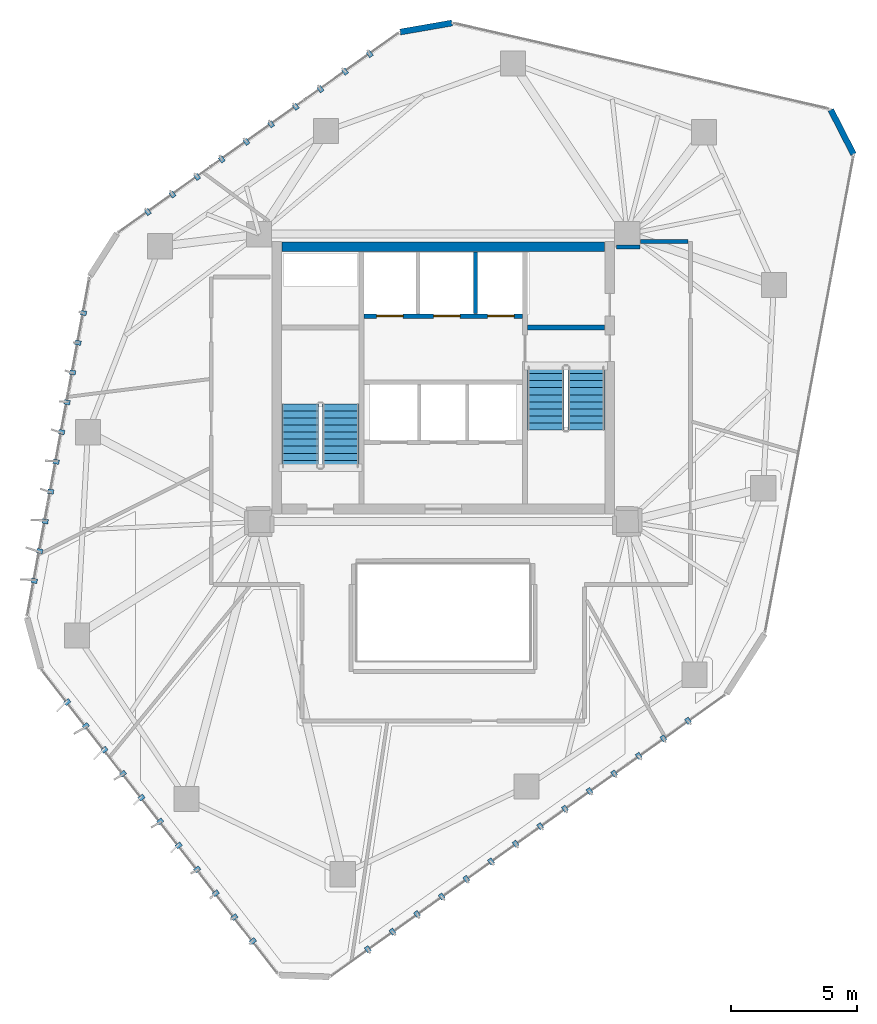
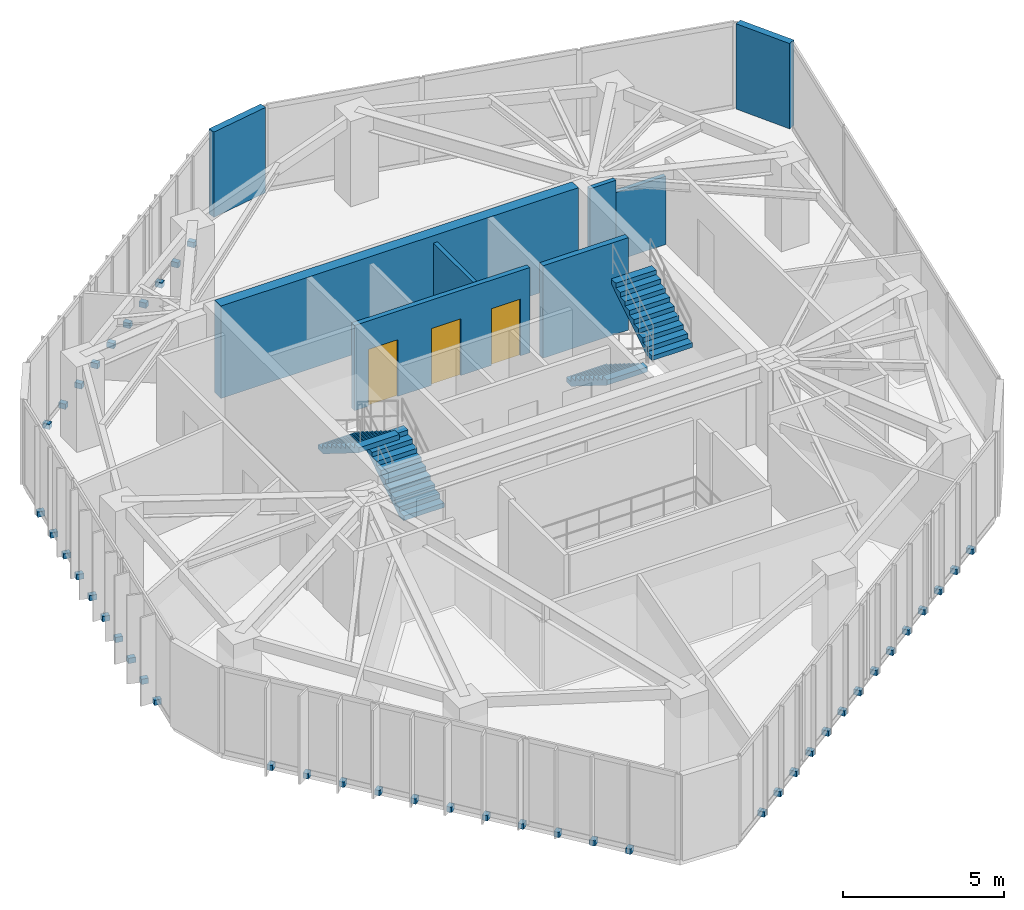
# One storey, part 17 of 19: 45 discrete accessories, 8 walls, 4 stair flights, 3 doors, 3 openings, 2 elements without a shape of their own.
"""IFC4 building model written with IfcOpenShell, lengths in metres."""

from ifc_helpers import new_model, si_unit, direction, frame, frame_2d, origin, origin_2d, place, context, subcontext, project, spatial, polyline, rectangle, outline, extrude, source, transform, mapped, material, layer, layer_set, type_object, type_shapes, element, fill, aggregate, save


model = new_model("IFC4")

# Units and contexts
model_context = context("Model", 3, precision=1e-05, world=origin(), true_north=direction((0.0, 1.0)))
body_context = subcontext(model_context, "Body", "Model", "MODEL_VIEW")
ifc_project = project(units=[si_unit("LENGTHUNIT", "METRE"), si_unit("AREAUNIT", "SQUARE_METRE"), si_unit("VOLUMEUNIT", "CUBIC_METRE"), si_unit("PLANEANGLEUNIT", "RADIAN"), si_unit("MASSUNIT", "GRAM", prefix="KILO")], contexts=[model_context])

# Site, building, storey
site_placement = place(None, origin())
site = spatial("IfcSite", under=ifc_project, at=site_placement, CompositionType="ELEMENT")
building_placement = place(site_placement, origin())
building = spatial("IfcBuilding", under=site, at=building_placement, Name="Talar Marvaseh", CompositionType="ELEMENT")
storey_placement = place(building_placement, frame((0.0, 0.0, 195.0)))
storey = spatial("IfcBuildingStorey", under=building, at=storey_placement, Name="L51", CompositionType="ELEMENT", Elevation=195.0)

# Walls
ifc_material_1 = material(Name="Precast concrete C45/55", Category="concrete")
ifc_layer_1 = layer(ifc_material_1, 0.239990234375)
ifc_layer_set_1 = layer_set([ifc_layer_1], Name="Precast concrete C45/55")
wall_type_1 = type_object("IfcWallType", Name="Chamfered Hexagonal Corner Pier Wall Z3 240", PredefinedType="SOLIDWALL", material=ifc_layer_set_1)
wall_1_placement = place(storey_placement, frame((24.293701171875, 44.915771484375, 0.0), z_axis=(0.0, 0.0, 1.0), x_axis=(0.985186864135, 0.171484234657, 0.0)))
element("IfcWall", 1, at=wall_1_placement, inside=storey, type_object=wall_type_1, Name="L51 Chamfered Corner Limestone Pier 4", PredefinedType="SOLIDWALL", context=body_context, shape_type="SweptSolid", body=[
    extrude(rectangle(XDim=2.088623046875, YDim=0.239990234375, at=frame_2d((1.04443359375, 0.0))), origin(), (0.0, 0.0, 1.0), 3.22998046875),
])
wall_2_placement = place(storey_placement, frame((41.3701171875, 41.831787109375, 0.0), z_axis=(0.0, 0.0, 1.0), x_axis=(0.455243725282, -0.890366862923, 0.0)))
element("IfcWall", 2, at=wall_2_placement, inside=storey, type_object=wall_type_1, Name="L51 Chamfered Corner Limestone Pier 5", PredefinedType="SOLIDWALL", context=body_context, shape_type="SweptSolid", body=[
    extrude(rectangle(XDim=1.977783203125, YDim=0.239990234375, at=frame_2d((0.98876953125, 0.0))), origin(), (0.0, 0.0, 1.0), 3.22998046875),
])
ifc_material_2 = material(Name="Gypsum Board Partition Assembly")
ifc_layer_2 = layer(ifc_material_2, 0.155029296875)
ifc_layer_set_2 = layer_set([ifc_layer_2], Name="Gypsum Board Partition Assembly")
wall_type_2 = type_object("IfcWallType", Name="Corridor Fire-Rated Acoustic Partition 155", PredefinedType="PARTITIONING", material=ifc_layer_set_2)
wall_3_placement = place(storey_placement, frame((32.8701171875, 36.385009765625, 0.0), z_axis=(0.0, 0.0, 1.0), x_axis=(0.999999965754, 0.000261711585, 0.0)))
element("IfcWall", 3, at=wall_3_placement, inside=storey, type_object=wall_type_2, Name="L51 Interior Partition Wall", PredefinedType="PARTITIONING", context=body_context, shape_type="SweptSolid", body=[
    extrude(rectangle(XDim=0.932861328125, YDim=0.155029296875, at=frame_2d((0.46630859375, 0.0))), origin(), (0.0, 0.0, 1.0), 3.22998046875),
])
wall_4_placement = place(storey_placement, frame((33.81494140625, 36.60009765625, 0.0), z_axis=(0.0, 0.0, 1.0), x_axis=(1.0, 0.0, 0.0)))
element("IfcWall", 4, at=wall_4_placement, inside=storey, type_object=wall_type_2, Name="L51 Interior Partition Wall", PredefinedType="PARTITIONING", context=body_context, shape_type="SweptSolid", body=[
    extrude(rectangle(XDim=1.901611328125, YDim=0.155029296875, at=frame_2d((0.95068359375, 0.0))), origin(), (0.0, 0.0, 1.0), 2.589111328125),
])
ifc_layer_3 = layer(ifc_material_1, 0.14501953125)
ifc_layer_set_3 = layer_set([ifc_layer_3], Name="Precast concrete C45/55")
wall_type_3 = type_object("IfcWallType", Name="Fire-Rated Lift Divider Wall 145", PredefinedType="SOLIDWALL", material=ifc_layer_set_3)
wall_5_placement = place(storey_placement, frame((27.280029296875, 33.743408203125, 0.0), z_axis=(0.0, 0.0, 1.0), x_axis=(0.0, 1.0, 0.0)))
element("IfcWall", 5, at=wall_5_placement, inside=storey, type_object=wall_type_3, Name="L51 FFL-2/SVL-1 Divider", PredefinedType="SOLIDWALL", context=body_context, shape_type="SweptSolid", body=[
    extrude(rectangle(XDim=2.45654296875, YDim=0.14501953125, at=frame_2d((1.228271484375, 0.0))), origin(), (0.0, 0.0, 1.0), 3.22998046875),
])

# Wall, openings, doors
ifc_layer_4 = layer(ifc_material_1, 0.175048828125)
ifc_layer_set_4 = layer_set([ifc_layer_4], Name="Precast concrete C45/55")
wall_type_4 = type_object("IfcWallType", Name="Fire-Rated Lift Hoistway Enclosure Wall 175", PredefinedType="SOLIDWALL", material=ifc_layer_set_4)
wall_6_placement = place(storey_placement, frame((22.860107421875, 33.64990234375, 0.0), z_axis=(0.0, 0.0, 1.0), x_axis=(1.0, 0.0, 0.0)))
wall_6 = element("IfcWall", 6, at=wall_6_placement, inside=storey, type_object=wall_type_4, Name="L51 Firefighting and Service Lift Front Wall", PredefinedType="SOLIDWALL", context=body_context, shape_type="SweptSolid", body=[
    extrude(rectangle(XDim=6.27978515625, YDim=0.175048828125, at=frame_2d((3.139892578125, 0.0))), origin(), (0.0, 0.0, 1.0), 3.22998046875),
])
opening_1_placement = place(wall_6_placement, frame((0.5, 0.0, 0.0)))
opening_1 = element("IfcOpeningElement", 7, at=opening_1_placement, cuts=wall_6, Name="Opening LD-FF1", PredefinedType="OPENING", context=body_context, shape_type="SweptSolid", body=[
    extrude(rectangle(XDim=1.050048828125, YDim=2.14990234375, at=frame_2d((0.52490234375, 1.074951171875))), frame((0.0, 0.09765625, 0.0), z_axis=(0.0, -1.0, 0.0), x_axis=(1.0, 0.0, 0.0)), (0.0, 0.0, 1.0), 0.195068359375),
])
opening_2_placement = place(wall_6_placement, frame((2.760009765625, 0.0, 0.0)))
opening_2 = element("IfcOpeningElement", 8, at=opening_2_placement, cuts=wall_6, Name="Opening LD-FF2", PredefinedType="OPENING", context=body_context, shape_type="SweptSolid", body=[
    extrude(rectangle(XDim=1.050048828125, YDim=2.14990234375, at=frame_2d((0.52490234375, 1.074951171875))), frame((0.0, 0.09765625, 0.0), z_axis=(0.0, -1.0, 0.0), x_axis=(1.0, 0.0, 0.0)), (0.0, 0.0, 1.0), 0.195068359375),
])
opening_3_placement = place(wall_6_placement, frame((4.89990234375, 0.0, 0.0)))
opening_3 = element("IfcOpeningElement", 9, at=opening_3_placement, cuts=wall_6, Name="Opening LD-SV1", PredefinedType="OPENING", context=body_context, shape_type="SweptSolid", body=[
    extrude(rectangle(XDim=1.050048828125, YDim=2.14990234375, at=frame_2d((0.52490234375, 1.074951171875))), frame((0.0, 0.09765625, 0.0), z_axis=(0.0, -1.0, 0.0), x_axis=(1.0, 0.0, 0.0)), (0.0, 0.0, 1.0), 0.195068359375),
])
ifc_material_3 = material(Name="Stainless Steel Grade 316", Category="steel")
door_type = type_object("IfcDoorType", Name="Automatic Sliding Lift Landing Door 1050x2150", OperationType="NOTDEFINED", PredefinedType="DOOR", material=ifc_material_3)
shared_shape_1 = source(origin(), body_context, "Body", "SweptSolid", [
    extrude(rectangle(XDim=1.050048828125, YDim=2.14990234375, at=frame_2d((0.52490234375, 1.074951171875))), frame((0.0, 0.02490234375, 0.0), z_axis=(0.0, -1.0, 0.0), x_axis=(1.0, 0.0, 0.0)), (0.0, 0.0, 1.0), 0.050048828125),
])
type_shapes(door_type, [shared_shape_1])
door_1_placement = place(opening_1_placement, origin())
door_1 = element("IfcDoor", 10, at=door_1_placement, inside=storey, type_object=door_type, Name="L51 Lift FFL-1 Sliding Landing Door", OperationType="SLIDING_TO_LEFT", OverallHeight=2.14990234375, OverallWidth=1.050048828125, PredefinedType="DOOR", context=body_context, shape_type="MappedRepresentation", body=[
    mapped(shared_shape_1, transform((0.0, 0.0, 0.0), x_axis=(1.0, 0.0, 0.0), y_axis=(0.0, 1.0, 0.0), z_axis=(0.0, 0.0, 1.0), scale=1.0)),
])
fill(opening_1, door_1)
door_2_placement = place(opening_2_placement, origin())
door_2 = element("IfcDoor", 11, at=door_2_placement, inside=storey, type_object=door_type, Name="L51 Lift FFL-2 Sliding Landing Door", OperationType="SLIDING_TO_LEFT", OverallHeight=2.14990234375, OverallWidth=1.050048828125, PredefinedType="DOOR", context=body_context, shape_type="MappedRepresentation", body=[
    mapped(shared_shape_1, transform((0.0, 0.0, 0.0), x_axis=(1.0, 0.0, 0.0), y_axis=(0.0, 1.0, 0.0), z_axis=(0.0, 0.0, 1.0), scale=1.0)),
])
fill(opening_2, door_2)
door_3_placement = place(opening_3_placement, origin())
door_3 = element("IfcDoor", 12, at=door_3_placement, inside=storey, type_object=door_type, Name="L51 Lift SVL-1 Sliding Landing Door", OperationType="SLIDING_TO_LEFT", OverallHeight=2.14990234375, OverallWidth=1.050048828125, PredefinedType="DOOR", context=body_context, shape_type="MappedRepresentation", body=[
    mapped(shared_shape_1, transform((0.0, 0.0, 0.0), x_axis=(1.0, 0.0, 0.0), y_axis=(0.0, 1.0, 0.0), z_axis=(0.0, 0.0, 1.0), scale=1.0)),
])
fill(opening_3, door_3)

# Walls
ifc_material_4 = material(Name="Concrete C60/75", Category="concrete")
ifc_layer_5 = layer(ifc_material_4, 0.3798828125)
ifc_layer_set_5 = layer_set([ifc_layer_5], Name="Concrete C60/75")
wall_type_5 = type_object("IfcWallType", Name="Mid Core Reinforced Concrete Shear Wall 380", PredefinedType="SHEAR", material=ifc_layer_set_5)
wall_7_placement = place(storey_placement, frame((19.60009765625, 36.39990234375, 0.0), z_axis=(0.0, 0.0, 1.0), x_axis=(1.0, 0.0, 0.0)))
element("IfcWall", 13, at=wall_7_placement, inside=storey, type_object=wall_type_5, Name="L51 North Core Shear Wall", PredefinedType="SHEAR", context=body_context, shape_type="SweptSolid", body=[
    extrude(rectangle(XDim=12.7998046875, YDim=0.3798828125, at=frame_2d((6.39990234375, 0.0))), origin(), (0.0, 0.0, 1.0), 3.5),
])
ifc_material_5 = material(Name="Concrete C50/60", Category="concrete")
ifc_layer_6 = layer(ifc_material_5, 0.199951171875)
ifc_layer_set_6 = layer_set([ifc_layer_6], Name="Concrete C50/60")
wall_type_6 = type_object("IfcWallType", Name="Stair Shaft Structural Concrete Shear Wall 200", PredefinedType="SHEAR", material=ifc_layer_set_6)
wall_8_placement = place(storey_placement, frame((29.340087890625, 33.199951171875, 0.0), z_axis=(0.0, 0.0, 1.0), x_axis=(1.0, 0.0, 0.0)))
element("IfcWall", 14, at=wall_8_placement, inside=storey, type_object=wall_type_6, Name="L51 Stair ST-2 North Shear Wall", PredefinedType="SHEAR", context=body_context, shape_type="SweptSolid", body=[
    extrude(rectangle(XDim=3.059814453125, YDim=0.199951171875, at=frame_2d((1.52978515625, 0.0))), origin(), (0.0, 0.0, 1.0), 3.5),
])

# Stair, stair flights
ifc_material_6 = material(Name="Concrete C40/50", Category="concrete")
stair_type = type_object("IfcStairType", Name="Reinforced Concrete High-Rise Exit Stair Type C", PredefinedType="HALF_TURN_STAIR", material=ifc_material_6)
stair_1_placement = place(storey_placement, origin())
stair_1 = element("IfcStair", 15, at=stair_1_placement, inside=storey, type_object=stair_type, Name="L51 Tower West Core Exit Stair", PredefinedType="HALF_TURN_STAIR")
ifc_layer_7 = layer(ifc_material_6, 0.159912109375)
ifc_layer_set_7 = layer_set([ifc_layer_7], Name="Concrete C40/50")
stair_flight_type = type_object("IfcStairFlightType", Name="Reinforced Concrete Straight Stair Flight 160", PredefinedType="STRAIGHT", material=ifc_layer_set_7)
stair_flight_1_placement = place(storey_placement, frame((21.93505859375, 27.64990234375, 0.0), z_axis=(0.0, 0.0, 1.0), x_axis=(0.0, 1.0, 0.0)))
stair_flight_1 = element("IfcStairFlight", 16, at=stair_flight_1_placement, type_object=stair_flight_type, Name="ST-1 flight 1", NumberOfRisers=10, NumberOfTreads=9, PredefinedType="STRAIGHT", RiserHeight=0.175, TreadLength=0.28, context=body_context, shape_type="SweptSolid", body=[
    extrude(outline(polyline([(0.0, 0.0), (0.0, 0.175048828125), (0.280029296875, 0.175048828125), (0.280029296875, 0.35009765625), (0.56005859375, 0.35009765625), (0.56005859375, 0.52490234375), (0.840087890625, 0.52490234375), (0.840087890625, 0.699951171875), (1.1201171875, 0.699951171875), (1.1201171875, 0.875), (1.39990234375, 0.875), (1.39990234375, 1.050048828125), (1.679931640625, 1.050048828125), (1.679931640625, 1.22509765625), (1.9599609375, 1.22509765625), (1.9599609375, 1.39990234375), (2.239990234375, 1.39990234375), (2.239990234375, 1.574951171875), (2.52001953125, 1.574951171875), (2.52001953125, 1.75), (2.52001953125, 1.386474609375), (0.3017578125, 0.0), (0.0, 0.0)])), frame((0.0, 0.72509765625, 0.0), z_axis=(0.0, -1.0, 0.0), x_axis=(1.0, 0.0, 0.0)), (0.0, 0.0, 1.0), 1.449951171875),
])
stair_flight_2_placement = place(storey_placement, frame((20.324951171875, 30.169921875, 1.75), z_axis=(0.0, 0.0, 1.0), x_axis=(0.0, -1.0, 0.0)))
stair_flight_2 = element("IfcStairFlight", 17, at=stair_flight_2_placement, type_object=stair_flight_type, Name="ST-1 flight 2", NumberOfRisers=10, NumberOfTreads=9, PredefinedType="STRAIGHT", RiserHeight=0.175, TreadLength=0.28, context=body_context, shape_type="SweptSolid", body=[
    extrude(outline(polyline([(0.0, 0.0), (0.0, 0.175048828125), (0.280029296875, 0.175048828125), (0.280029296875, 0.35009765625), (0.56005859375, 0.35009765625), (0.56005859375, 0.52490234375), (0.840087890625, 0.52490234375), (0.840087890625, 0.699951171875), (1.1201171875, 0.699951171875), (1.1201171875, 0.875), (1.39990234375, 0.875), (1.39990234375, 1.050048828125), (1.679931640625, 1.050048828125), (1.679931640625, 1.22509765625), (1.9599609375, 1.22509765625), (1.9599609375, 1.39990234375), (2.239990234375, 1.39990234375), (2.239990234375, 1.574951171875), (2.52001953125, 1.574951171875), (2.52001953125, 1.75), (2.52001953125, 1.386474609375), (0.3017578125, 0.0), (0.0, 0.0)])), frame((0.0, 0.72509765625, 0.0), z_axis=(0.0, -1.0, 0.0), x_axis=(1.0, 0.0, 0.0)), (0.0, 0.0, 1.0), 1.449951171875),
])
aggregate(stair_1, [stair_flight_1, stair_flight_2])

stair_2_placement = place(storey_placement, origin())
stair_2 = element("IfcStair", 18, at=stair_2_placement, inside=storey, type_object=stair_type, Name="L51 Tower East Core Exit Stair", PredefinedType="HALF_TURN_STAIR")
stair_flight_3_placement = place(storey_placement, frame((30.06494140625, 31.64990234375, 0.0), z_axis=(0.0, 0.0, 1.0), x_axis=(0.0, -1.0, 0.0)))
stair_flight_3 = element("IfcStairFlight", 19, at=stair_flight_3_placement, type_object=stair_flight_type, Name="ST-2 flight 1", NumberOfRisers=10, NumberOfTreads=9, PredefinedType="STRAIGHT", RiserHeight=0.175, TreadLength=0.28, context=body_context, shape_type="SweptSolid", body=[
    extrude(outline(polyline([(0.0, 0.0), (0.0, 0.175048828125), (0.280029296875, 0.175048828125), (0.280029296875, 0.35009765625), (0.56005859375, 0.35009765625), (0.56005859375, 0.52490234375), (0.840087890625, 0.52490234375), (0.840087890625, 0.699951171875), (1.1201171875, 0.699951171875), (1.1201171875, 0.875), (1.39990234375, 0.875), (1.39990234375, 1.050048828125), (1.679931640625, 1.050048828125), (1.679931640625, 1.22509765625), (1.9599609375, 1.22509765625), (1.9599609375, 1.39990234375), (2.239990234375, 1.39990234375), (2.239990234375, 1.574951171875), (2.52001953125, 1.574951171875), (2.52001953125, 1.75), (2.52001953125, 1.386474609375), (0.3017578125, 0.0), (0.0, 0.0)])), frame((0.0, 0.72509765625, 0.0), z_axis=(0.0, -1.0, 0.0), x_axis=(1.0, 0.0, 0.0)), (0.0, 0.0, 1.0), 1.449951171875),
])
stair_flight_4_placement = place(storey_placement, frame((31.675048828125, 29.1298828125, 1.75), z_axis=(0.0, 0.0, 1.0), x_axis=(0.0, 1.0, 0.0)))
stair_flight_4 = element("IfcStairFlight", 20, at=stair_flight_4_placement, type_object=stair_flight_type, Name="ST-2 flight 2", NumberOfRisers=10, NumberOfTreads=9, PredefinedType="STRAIGHT", RiserHeight=0.175, TreadLength=0.28, context=body_context, shape_type="SweptSolid", body=[
    extrude(outline(polyline([(0.0, 0.0), (0.0, 0.175048828125), (0.280029296875, 0.175048828125), (0.280029296875, 0.35009765625), (0.56005859375, 0.35009765625), (0.56005859375, 0.52490234375), (0.840087890625, 0.52490234375), (0.840087890625, 0.699951171875), (1.1201171875, 0.699951171875), (1.1201171875, 0.875), (1.39990234375, 0.875), (1.39990234375, 1.050048828125), (1.679931640625, 1.050048828125), (1.679931640625, 1.22509765625), (1.9599609375, 1.22509765625), (1.9599609375, 1.39990234375), (2.239990234375, 1.39990234375), (2.239990234375, 1.574951171875), (2.52001953125, 1.574951171875), (2.52001953125, 1.75), (2.52001953125, 1.386474609375), (0.3017578125, 0.0), (0.0, 0.0)])), frame((0.0, 0.72509765625, 0.0), z_axis=(0.0, -1.0, 0.0), x_axis=(1.0, 0.0, 0.0)), (0.0, 0.0, 1.0), 1.449951171875),
])
aggregate(stair_2, [stair_flight_3, stair_flight_4])

# Discrete accessories
discrete_accessory_type = type_object("IfcDiscreteAccessoryType", Name="Stainless Slab-Edge Fin Mounting Bracket", PredefinedType="BRACKET", material=ifc_material_3)
shared_shape_2 = source(origin(), body_context, "Body", "SweptSolid", [
    extrude(rectangle(XDim=0.239990234375, YDim=0.179931640625, at=origin_2d()), origin(), (0.0, 0.0, 1.0), 0.199951171875),
])
type_shapes(discrete_accessory_type, [shared_shape_2])
for number, where, z_axis, x_axis, name in (
    (21, (18.453125, 8.86669921875, -0.18017578125), (0.0, 0.0, 1.0), (-0.78961984927, -0.613596360516, 0.0), "L51 Vertical Fin Slab-Edge Bracket"),
    (22, (17.716796875, 9.814208984375, -0.18017578125), (0.0, 0.0, 1.0), (-0.78961984927, -0.613596360516, 0.0), "L51 Vertical Fin Slab-Edge Bracket"),
    (23, (16.980712890625, 10.761962890625, -0.18017578125), (0.0, 0.0, 1.0), (-0.78961984927, -0.613596360516, 0.0), "L51 Vertical Fin Slab-Edge Bracket"),
    (24, (16.244384765625, 11.70947265625, -0.18017578125), (0.0, 0.0, 1.0), (-0.78961984927, -0.613596360516, 0.0), "L51 Vertical Fin Slab-Edge Bracket"),
    (25, (15.508056640625, 12.656982421875, -0.18017578125), (0.0, 0.0, 1.0), (-0.78961984927, -0.613596360516, 0.0), "L51 Vertical Fin Slab-Edge Bracket"),
    (26, (14.771728515625, 13.604736328125, -0.18017578125), (0.0, 0.0, 1.0), (-0.78961984927, -0.613596360516, 0.0), "L51 Vertical Fin Slab-Edge Bracket"),
    (27, (14.03564453125, 14.55224609375, -0.18017578125), (0.0, 0.0, 1.0), (-0.78961984927, -0.613596360516, 0.0), "L51 Vertical Fin Slab-Edge Bracket"),
    (28, (13.29931640625, 15.5, -0.18017578125), (0.0, 0.0, 1.0), (-0.78961984927, -0.613596360516, 0.0), "L51 Vertical Fin Slab-Edge Bracket"),
    (29, (12.56298828125, 16.447509765625, -0.18017578125), (0.0, 0.0, 1.0), (-0.78961984927, -0.613596360516, 0.0), "L51 Vertical Fin Slab-Edge Bracket"),
    (30, (11.826904296875, 17.39501953125, -0.18017578125), (0.0, 0.0, 1.0), (-0.78961984927, -0.613596360516, 0.0), "L51 Vertical Fin Slab-Edge Bracket"),
    (31, (11.090576171875, 18.3427734375, -0.18017578125), (0.0, 0.0, 1.0), (-0.78961984927, -0.613596360516, 0.0), "L51 Vertical Fin Slab-Edge Bracket"),
    (32, (9.77880859375, 23.150634765625, -0.18017578125), (0.0, 0.0, 1.0), (-0.983476816388, 0.1810341173, 0.0), "L51 Vertical Fin Slab-Edge Bracket"),
    (33, (9.99609375, 24.330810546875, -0.18017578125), (0.0, 0.0, 1.0), (-0.983476816388, 0.1810341173, 0.0), "L51 Vertical Fin Slab-Edge Bracket"),
    (34, (10.21337890625, 25.510986328125, -0.18017578125), (0.0, 0.0, 1.0), (-0.983476816388, 0.1810341173, 0.0), "L51 Vertical Fin Slab-Edge Bracket"),
    (35, (10.4306640625, 26.691162109375, -0.18017578125), (0.0, 0.0, 1.0), (-0.983476816388, 0.1810341173, 0.0), "L51 Vertical Fin Slab-Edge Bracket"),
    (36, (10.64794921875, 27.871337890625, -0.18017578125), (0.0, 0.0, 1.0), (-0.983476816388, 0.1810341173, 0.0), "L51 Vertical Fin Slab-Edge Bracket"),
    (37, (10.865234375, 29.051513671875, -0.18017578125), (0.0, 0.0, 1.0), (-0.983476816388, 0.1810341173, 0.0), "L51 Vertical Fin Slab-Edge Bracket"),
    (38, (11.08251953125, 30.231689453125, -0.18017578125), (0.0, 0.0, 1.0), (-0.983476816388, 0.1810341173, 0.0), "L51 Vertical Fin Slab-Edge Bracket"),
    (39, (11.2998046875, 31.411865234375, -0.18017578125), (0.0, 0.0, 1.0), (-0.983476816388, 0.1810341173, 0.0), "L51 Vertical Fin Slab-Edge Bracket"),
    (40, (11.51708984375, 32.591796875, -0.18017578125), (0.0, 0.0, 1.0), (-0.983476816388, 0.1810341173, 0.0), "L51 Vertical Fin Slab-Edge Bracket"),
    (41, (11.734375, 33.772216796875, -0.18017578125), (0.0, 0.0, 1.0), (-0.983476816388, 0.1810341173, 0.0), "L51 Vertical Fin Slab-Edge Bracket"),
    (42, (14.28662109375, 37.7783203125, -0.18017578125), (0.0, 0.0, 1.0), (-0.579707892832, 0.814824373094, 0.0), "L51 Vertical Fin Slab-Edge Bracket"),
    (43, (15.264404296875, 38.47412109375, -0.18017578125), (0.0, 0.0, 1.0), (-0.579707892832, 0.814824373094, 0.0), "L51 Vertical Fin Slab-Edge Bracket"),
    (44, (16.2421875, 39.169677734375, -0.18017578125), (0.0, 0.0, 1.0), (-0.579707892832, 0.814824373094, 0.0), "L51 Vertical Fin Slab-Edge Bracket"),
    (45, (17.219970703125, 39.865478515625, -0.18017578125), (0.0, 0.0, 1.0), (-0.579707892832, 0.814824373094, 0.0), "L51 Vertical Fin Slab-Edge Bracket"),
    (46, (18.19775390625, 40.56103515625, -0.18017578125), (0.0, 0.0, 1.0), (-0.579707892832, 0.814824373094, 0.0), "L51 Vertical Fin Slab-Edge Bracket"),
    (47, (19.175537109375, 41.256591796875, -0.18017578125), (0.0, 0.0, 1.0), (-0.579707892832, 0.814824373094, 0.0), "L51 Vertical Fin Slab-Edge Bracket"),
    (48, (20.1533203125, 41.952392578125, -0.18017578125), (0.0, 0.0, 1.0), (-0.579707892832, 0.814824373094, 0.0), "L51 Vertical Fin Slab-Edge Bracket"),
    (49, (21.131103515625, 42.648193359375, -0.18017578125), (0.0, 0.0, 1.0), (-0.579707892832, 0.814824373094, 0.0), "L51 Vertical Fin Slab-Edge Bracket"),
    (50, (22.10888671875, 43.34375, -0.18017578125), (0.0, 0.0, 1.0), (-0.579707892832, 0.814824373094, 0.0), "L51 Vertical Fin Slab-Edge Bracket"),
    (51, (23.08642578125, 44.03955078125, -0.18017578125), (0.0, 0.0, 1.0), (-0.579707892832, 0.814824373094, 0.0), "L51 Vertical Fin Slab-Edge Bracket"),
    (52, (35.70849609375, 17.600830078125, -0.18017578125), (0.0, 0.0, 1.0), (0.580845036828, -0.814014154172, 0.0), "L51 Vertical Fin Slab-Edge Bracket"),
    (53, (34.731689453125, 16.90380859375, -0.18017578125), (0.0, 0.0, 1.0), (0.580845036828, -0.814014154172, 0.0), "L51 Vertical Fin Slab-Edge Bracket"),
    (54, (33.7548828125, 16.206787109375, -0.18017578125), (0.0, 0.0, 1.0), (0.580845036828, -0.814014154172, 0.0), "L51 Vertical Fin Slab-Edge Bracket"),
    (55, (32.778076171875, 15.509765625, -0.18017578125), (0.0, 0.0, 1.0), (0.580845036828, -0.814014154172, 0.0), "L51 Vertical Fin Slab-Edge Bracket"),
    (56, (31.80126953125, 14.812744140625, -0.18017578125), (0.0, 0.0, 1.0), (0.580845036828, -0.814014154172, 0.0), "L51 Vertical Fin Slab-Edge Bracket"),
    (57, (30.824462890625, 14.11572265625, -0.18017578125), (0.0, 0.0, 1.0), (0.580845036828, -0.814014154172, 0.0), "L51 Vertical Fin Slab-Edge Bracket"),
    (58, (29.84765625, 13.418701171875, -0.18017578125), (0.0, 0.0, 1.0), (0.580845036828, -0.814014154172, 0.0), "L51 Vertical Fin Slab-Edge Bracket"),
    (59, (28.870849609375, 12.7216796875, -0.18017578125), (0.0, 0.0, 1.0), (0.580845036828, -0.814014154172, 0.0), "L51 Vertical Fin Slab-Edge Bracket"),
    (60, (27.893798828125, 12.02490234375, -0.18017578125), (0.0, 0.0, 1.0), (0.580845036828, -0.814014154172, 0.0), "L51 Vertical Fin Slab-Edge Bracket"),
    (61, (26.9169921875, 11.327880859375, -0.18017578125), (0.0, 0.0, 1.0), (0.580845036828, -0.814014154172, 0.0), "L51 Vertical Fin Slab-Edge Bracket"),
    (62, (25.940185546875, 10.630859375, -0.18017578125), (0.0, 0.0, 1.0), (0.580845036828, -0.814014154172, 0.0), "L51 Vertical Fin Slab-Edge Bracket"),
    (63, (24.96337890625, 9.933837890625, -0.18017578125), (0.0, 0.0, 1.0), (0.580845036828, -0.814014154172, 0.0), "L51 Vertical Fin Slab-Edge Bracket"),
    (64, (23.986572265625, 9.23681640625, -0.18017578125), (0.0, 0.0, 1.0), (0.580845036828, -0.814014154172, 0.0), "L51 Vertical Fin Slab-Edge Bracket"),
    (65, (23.009765625, 8.539794921875, -0.18017578125), (0.0, 0.0, 1.0), (0.580845036828, -0.814014154172, 0.0), "L51 Vertical Fin Slab-Edge Bracket"),
):
    element("IfcDiscreteAccessory", number, at=place(storey_placement, frame(where, z_axis=z_axis, x_axis=x_axis)), inside=storey, type_object=discrete_accessory_type, Name=name, PredefinedType="BRACKET", context=body_context, shape_type="MappedRepresentation", body=[
        mapped(shared_shape_2, transform((0.0, 0.0, 0.0), x_axis=(1.0, 0.0, 0.0), y_axis=(0.0, 1.0, 0.0), z_axis=(0.0, 0.0, 1.0), scale=1.0)),
    ])

save(model, "model.ifc")
